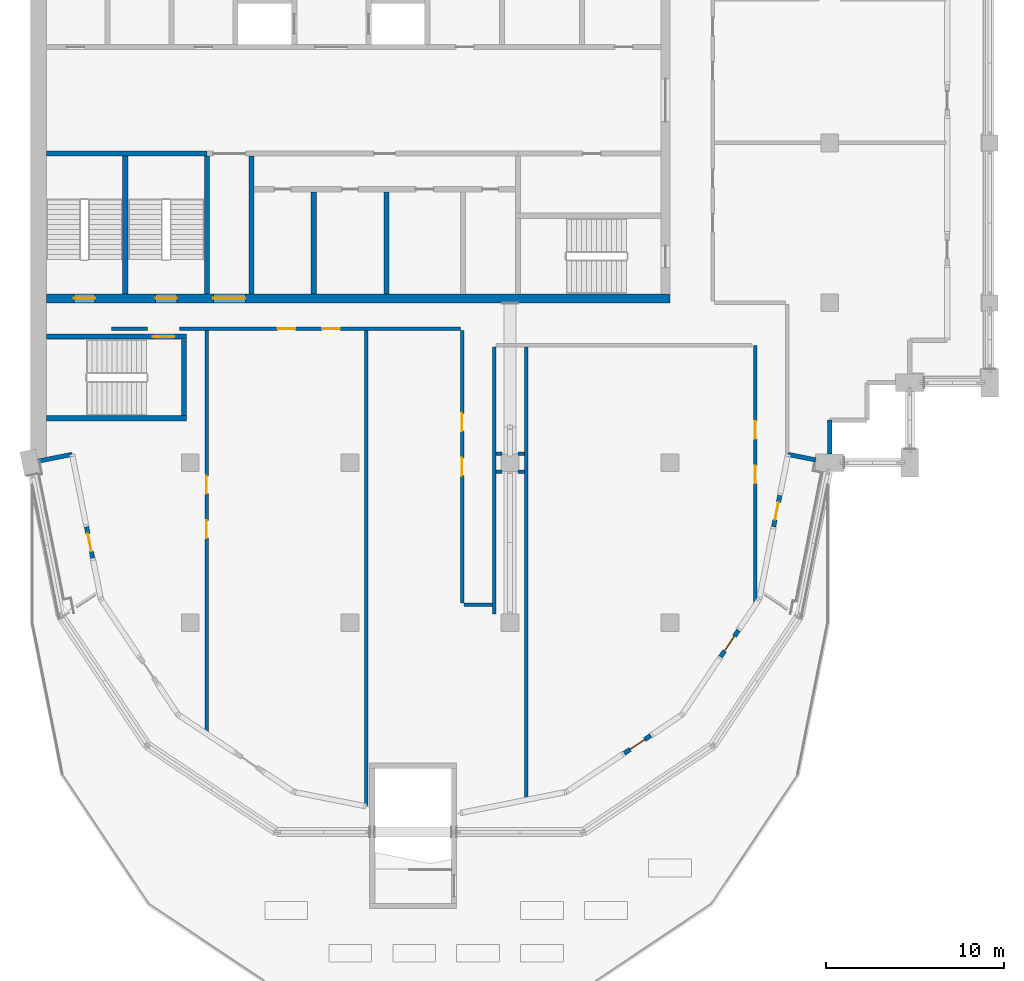
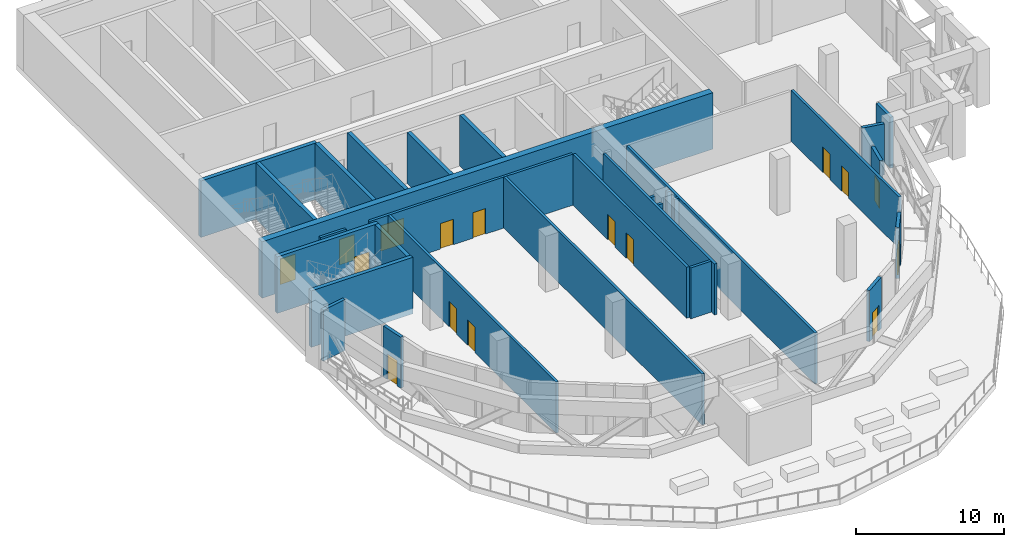
# One storey, part 7 of 18: 30 walls, 16 doors, 16 openings.
"""IFC4 building model written with IfcOpenShell, lengths in metres."""

from ifc_helpers import new_model, si_unit, direction, frame, frame_2d, origin, place, context, subcontext, project, spatial, rectangle, extrude, material, layer, layer_set, type_object, element, fill, save


model = new_model("IFC4")

# Units and contexts
model_context = context("Model", 3, precision=1e-05, world=origin(), true_north=direction((0.0, 1.0)))
body_context = subcontext(model_context, "Body", "Model", "MODEL_VIEW")
ifc_project = project(units=[si_unit("LENGTHUNIT", "METRE"), si_unit("AREAUNIT", "SQUARE_METRE"), si_unit("VOLUMEUNIT", "CUBIC_METRE"), si_unit("PLANEANGLEUNIT", "RADIAN"), si_unit("MASSUNIT", "GRAM", prefix="KILO")], contexts=[model_context])

# Site, building, storey
site_placement = place(None, origin())
site = spatial("IfcSite", under=ifc_project, at=site_placement, CompositionType="ELEMENT")
building_placement = place(site_placement, origin())
building = spatial("IfcBuilding", under=site, at=building_placement, Name="Hunhe Ridgeline Campus", CompositionType="ELEMENT")
storey_placement = place(building_placement, frame((0.0, 0.0, 276.199951171875)))
storey = spatial("IfcBuildingStorey", under=building, at=storey_placement, Name="L71", CompositionType="ELEMENT", Elevation=276.199951171875)

# Walls
ifc_material_1 = material(Name="Masonry concrete blockwork", Category="masonry")
ifc_layer_1 = layer(ifc_material_1, 0.300048828125)
ifc_layer_set_1 = layer_set([ifc_layer_1], Name="Core room partition 300 concrete block")
wall_type_1 = type_object("IfcWallType", Name="Core room partition 300 concrete block", PredefinedType="PARTITIONING", material=ifc_layer_set_1)
wall_1_placement = place(storey_placement, frame((12.449951171875, 63.5, 0.0), z_axis=(0.0, 0.0, 1.0), x_axis=(0.0, 1.0, 0.0)))
element("IfcWall", 1, at=wall_1_placement, inside=storey, type_object=wall_type_1, Name="L71 core partition 33", PredefinedType="PARTITIONING", context=body_context, shape_type="SweptSolid", body=[
    extrude(rectangle(XDim=7.75, YDim=0.300048828125, at=frame_2d((3.875, 0.0))), origin(), (0.0, 0.0, 1.0), 4.199951171875),
])
for number, where, z_axis, x_axis, name in (
    (2, (15.949951171875, 63.5, 0.0), (0.0, 0.0, 1.0), (0.0, 1.0, 0.0), "L71 core partition 36"),
    (3, (20.050048828125, 63.5, 0.0), (0.0, 0.0, 1.0), (0.0, 1.0, 0.0), "L71 core partition 39"),
):
    element("IfcWall", number, at=place(storey_placement, frame(where, z_axis=z_axis, x_axis=x_axis)), inside=storey, type_object=wall_type_1, Name=name, PredefinedType="PARTITIONING", context=body_context, shape_type="SweptSolid", body=[
        extrude(rectangle(XDim=5.75, YDim=0.300048828125, at=frame_2d((2.875, 0.0))), origin(), (0.0, 0.0, 1.0), 4.199951171875),
    ])

# Wall, openings, doors
ifc_material_2 = material(Name="Concrete C50", Category="concrete")
ifc_layer_2 = layer(ifc_material_2, 0.5)
ifc_layer_set_2 = layer_set([ifc_layer_2], Name="Core wall 500 reinforced concrete C50")
wall_type_2 = type_object("IfcWallType", Name="Core wall 500 reinforced concrete C50", PredefinedType="SOLIDWALL", material=ifc_layer_set_2)
wall_2_placement = place(storey_placement, frame((0.89990234375, 63.25, -0.449951171875), z_axis=(0.0, 0.0, 1.0), x_axis=(1.0, 0.0, 0.0)))
wall_2 = element("IfcWall", 4, at=wall_2_placement, inside=storey, type_object=wall_type_2, Name="L71 core wall 5", PredefinedType="SOLIDWALL", context=body_context, shape_type="SweptSolid", body=[
    extrude(rectangle(XDim=35.10009765625, YDim=0.5, at=frame_2d((17.550048828125, 0.0))), origin(), (0.0, 0.0, 1.0), 4.64990234375),
])
opening_1_placement = place(wall_2_placement, frame((9.39990234375, 0.0, 0.449951171875)))
opening_1 = element("IfcOpeningElement", 5, at=opening_1_placement, cuts=wall_2, Name="Opening CD6", PredefinedType="OPENING", context=body_context, shape_type="SweptSolid", body=[
    extrude(rectangle(XDim=1.800048828125, YDim=2.10009765625, at=frame_2d((0.89990234375, 1.050048828125))), frame((0.0, 0.25, 0.0), z_axis=(0.0, -1.0, 0.0), x_axis=(1.0, 0.0, 0.0)), (0.0, 0.0, 1.0), 0.5),
])
opening_2_placement = place(wall_2_placement, frame((1.550048828125, 0.0, 0.449951171875)))
opening_2 = element("IfcOpeningElement", 6, at=opening_2_placement, cuts=wall_2, Name="Opening CD13", PredefinedType="OPENING", context=body_context, shape_type="SweptSolid", body=[
    extrude(rectangle(XDim=1.199951171875, YDim=2.10009765625, at=frame_2d((0.60009765625, 1.050048828125))), frame((0.0, 0.25, 0.0), z_axis=(0.0, -1.0, 0.0), x_axis=(1.0, 0.0, 0.0)), (0.0, 0.0, 1.0), 0.5),
])
opening_3_placement = place(wall_2_placement, frame((6.14990234375, 0.0, 0.449951171875)))
opening_3 = element("IfcOpeningElement", 7, at=opening_3_placement, cuts=wall_2, Name="Opening CD14", PredefinedType="OPENING", context=body_context, shape_type="SweptSolid", body=[
    extrude(rectangle(XDim=1.199951171875, YDim=2.10009765625, at=frame_2d((0.60009765625, 1.050048828125))), frame((0.0, 0.25, 0.0), z_axis=(0.0, -1.0, 0.0), x_axis=(1.0, 0.0, 0.0)), (0.0, 0.0, 1.0), 0.5),
])
ifc_material_3 = material(Name="Anodised aluminium and glass", Category="aluminium")
door_type_1 = type_object("IfcDoorType", Name="Glazed double door 1800x2100", OperationType="DOUBLE_DOOR_SINGLE_SWING", PredefinedType="DOOR", material=ifc_material_3)
door_1_placement = place(opening_1_placement, frame((1.800048828125, 0.0, 0.0), z_axis=(0.0, 0.0, 1.0), x_axis=(-1.0, 0.0, 0.0)))
door_1 = element("IfcDoor", 8, at=door_1_placement, inside=storey, type_object=door_type_1, Name="L71 door VEST-FLOOR", OperationType="DOUBLE_DOOR_SINGLE_SWING", OverallHeight=2.10009765625, OverallWidth=1.800048828125, PredefinedType="DOOR", context=body_context, shape_type="SweptSolid", body=[
    extrude(rectangle(XDim=1.800048828125, YDim=2.10009765625, at=frame_2d((0.89990234375, 1.050048828125))), frame((0.0, 0.02490234375, 0.0), z_axis=(0.0, -1.0, 0.0), x_axis=(1.0, 0.0, 0.0)), (0.0, 0.0, 1.0), 0.050048828125),
])
fill(opening_1, door_1)
ifc_material_4 = material(Name="Hollow metal fire door leaf")
door_type_2 = type_object("IfcDoorType", Name="Stair door 1200x2100 FD60", OperationType="SINGLE_SWING_LEFT", PredefinedType="DOOR", material=ifc_material_4)
door_2_placement = place(opening_2_placement, frame((1.199951171875, 0.0, 0.0), z_axis=(0.0, 0.0, 1.0), x_axis=(-1.0, 0.0, 0.0)))
door_2 = element("IfcDoor", 9, at=door_2_placement, inside=storey, type_object=door_type_2, Name="L71 door S3", OperationType="SINGLE_SWING_LEFT", OverallHeight=2.10009765625, OverallWidth=1.199951171875, PredefinedType="DOOR", context=body_context, shape_type="SweptSolid", body=[
    extrude(rectangle(XDim=1.199951171875, YDim=2.10009765625, at=frame_2d((0.60009765625, 1.050048828125))), frame((0.0, 0.02490234375, 0.0), z_axis=(0.0, -1.0, 0.0), x_axis=(1.0, 0.0, 0.0)), (0.0, 0.0, 1.0), 0.050048828125),
])
fill(opening_2, door_2)
door_3_placement = place(opening_3_placement, frame((1.199951171875, 0.0, 0.0), z_axis=(0.0, 0.0, 1.0), x_axis=(-1.0, 0.0, 0.0)))
door_3 = element("IfcDoor", 10, at=door_3_placement, inside=storey, type_object=door_type_2, Name="L71 door S4", OperationType="SINGLE_SWING_RIGHT", OverallHeight=2.10009765625, OverallWidth=1.199951171875, PredefinedType="DOOR", context=body_context, shape_type="SweptSolid", body=[
    extrude(rectangle(XDim=1.199951171875, YDim=2.10009765625, at=frame_2d((0.60009765625, 1.050048828125))), frame((0.0, 0.02490234375, 0.0), z_axis=(0.0, -1.0, 0.0), x_axis=(1.0, 0.0, 0.0)), (0.0, 0.0, 1.0), 0.050048828125),
])
fill(opening_3, door_3)

# Walls
ifc_material_5 = material(Name="Concrete C30", Category="concrete")
ifc_layer_3 = layer(ifc_material_5, 0.25)
ifc_layer_set_3 = layer_set([ifc_layer_3], Name="Corner return wall 250 Concrete C30")
wall_type_3 = type_object("IfcWallType", Name="Corner return wall 250 Concrete C30", PredefinedType="SOLIDWALL", material=ifc_layer_set_3)
wall_3_placement = place(storey_placement, frame((0.441162109375, 54.088623046875, 0.0), z_axis=(0.0, 0.0, 1.0), x_axis=(0.980834936053, 0.194840519958, 0.0)))
element("IfcWall", 11, at=wall_3_placement, inside=storey, type_object=wall_type_3, Name="Corner return wall 1", PredefinedType="SOLIDWALL", context=body_context, shape_type="SweptSolid", body=[
    extrude(rectangle(XDim=1.950927734375, YDim=0.25, at=frame_2d((0.9755859375, 0.0))), origin(), (0.0, 0.0, 1.0), 4.199951171875),
])
wall_4_placement = place(storey_placement, frame((42.645263671875, 54.46875, 0.0), z_axis=(0.0, 0.0, 1.0), x_axis=(0.980834583039, -0.194842297039, 0.0)))
element("IfcWall", 12, at=wall_4_placement, inside=storey, type_object=wall_type_3, Name="Corner return wall 2", PredefinedType="SOLIDWALL", context=body_context, shape_type="SweptSolid", body=[
    extrude(rectangle(XDim=1.5849609375, YDim=0.25, at=frame_2d((0.79248046875, 0.0))), origin(), (0.0, 0.0, 1.0), 4.199951171875),
])
wall_5_placement = place(storey_placement, frame((44.9990234375, 54.5, 0.0), z_axis=(0.0, 0.0, 1.0), x_axis=(0.000128452151, 0.99999999175, 0.0)))
element("IfcWall", 13, at=wall_5_placement, inside=storey, type_object=wall_type_3, Name="Corner return wall 3", PredefinedType="SOLIDWALL", context=body_context, shape_type="SweptSolid", body=[
    extrude(rectangle(XDim=1.900634765625, YDim=0.25, at=frame_2d((0.9501953125, 0.0))), origin(), (0.0, 0.0, 1.0), 4.199951171875),
])
ifc_material_6 = material(Name="Gypsum board partition")
ifc_layer_4 = layer(ifc_material_6, 0.199951171875)
ifc_layer_set_4 = layer_set([ifc_layer_4], Name="Corridor partition 200 gypsum board on steel studs")
wall_type_4 = type_object("IfcWallType", Name="Corridor partition 200 gypsum board on steel studs", PredefinedType="PARTITIONING", material=ifc_layer_set_4)
wall_6_placement = place(storey_placement, frame((26.0, 46.0, 0.0), z_axis=(0.0, 0.0, 1.0), x_axis=(-1.0, 0.0, 0.0)))
element("IfcWall", 14, at=wall_6_placement, inside=storey, type_object=wall_type_4, Name="F-L71-wall-001", PredefinedType="PARTITIONING", context=body_context, shape_type="SweptSolid", body=[
    extrude(rectangle(XDim=1.60009765625, YDim=0.199951171875, at=frame_2d((0.800048828125, 0.0))), origin(), (0.0, 0.0, 1.0), 4.199951171875),
])
wall_7_placement = place(storey_placement, frame((26.199951171875, 53.5, 0.0), z_axis=(0.0, 0.0, 1.0), x_axis=(1.0, 0.0, 0.0)))
element("IfcWall", 15, at=wall_7_placement, inside=storey, type_object=wall_type_4, Name="F-L71-wall-002", PredefinedType="PARTITIONING", context=body_context, shape_type="SweptSolid", body=[
    extrude(rectangle(XDim=0.35009765625, YDim=0.199951171875, at=frame_2d((0.175048828125, 0.0))), origin(), (0.0, 0.0, 1.0), 4.199951171875),
])
wall_8_placement = place(storey_placement, frame((27.449951171875, 53.5, 0.0), z_axis=(0.0, 0.0, 1.0), x_axis=(1.0, 0.0, 0.0)))
element("IfcWall", 16, at=wall_8_placement, inside=storey, type_object=wall_type_4, Name="F-L71-wall-003", PredefinedType="PARTITIONING", context=body_context, shape_type="SweptSolid", body=[
    extrude(rectangle(XDim=0.3701171875, YDim=0.199951171875, at=frame_2d((0.18505859375, 0.0))), origin(), (0.0, 0.0, 1.0), 4.199951171875),
])
wall_9_placement = place(storey_placement, frame((26.199951171875, 54.5, 0.0), z_axis=(0.0, 0.0, 1.0), x_axis=(1.0, 0.0, 0.0)))
element("IfcWall", 17, at=wall_9_placement, inside=storey, type_object=wall_type_4, Name="F-L71-wall-004", PredefinedType="PARTITIONING", context=body_context, shape_type="SweptSolid", body=[
    extrude(rectangle(XDim=0.35009765625, YDim=0.199951171875, at=frame_2d((0.175048828125, 0.0))), origin(), (0.0, 0.0, 1.0), 4.199951171875),
])
wall_10_placement = place(storey_placement, frame((27.449951171875, 54.5, 0.0), z_axis=(0.0, 0.0, 1.0), x_axis=(1.0, 0.0, 0.0)))
element("IfcWall", 18, at=wall_10_placement, inside=storey, type_object=wall_type_4, Name="F-L71-wall-005", PredefinedType="PARTITIONING", context=body_context, shape_type="SweptSolid", body=[
    extrude(rectangle(XDim=0.3701171875, YDim=0.199951171875, at=frame_2d((0.18505859375, 0.0))), origin(), (0.0, 0.0, 1.0), 4.199951171875),
])

# Wall, openings, doors
wall_11_placement = place(storey_placement, frame((24.199951171875, 61.550048828125, 0.0), z_axis=(0.0, 0.0, 1.0), x_axis=(-1.0, 0.0, 0.0)))
wall_11 = element("IfcWall", 19, at=wall_11_placement, inside=storey, type_object=wall_type_4, Name="F-L71-wall-007", PredefinedType="PARTITIONING", context=body_context, shape_type="SweptSolid", body=[
    extrude(rectangle(XDim=15.800048828125, YDim=0.199951171875, at=frame_2d((7.89990234375, 0.0))), origin(), (0.0, 0.0, 1.0), 4.199951171875),
])
opening_4_placement = place(wall_11_placement, frame((9.281005859375, 0.0, 0.0)))
opening_4 = element("IfcOpeningElement", 20, at=opening_4_placement, cuts=wall_11, Name="Opening RD1-007", PredefinedType="OPENING", context=body_context, shape_type="SweptSolid", body=[
    extrude(rectangle(XDim=1.0, YDim=2.10009765625, at=frame_2d((0.5, 1.050048828125))), frame((0.0, 0.10009765625, 0.0), z_axis=(0.0, -1.0, 0.0), x_axis=(1.0, 0.0, 0.0)), (0.0, 0.0, 1.0), 0.199951171875),
])
opening_5_placement = place(wall_11_placement, frame((6.781005859375, 0.0, 0.0)))
opening_5 = element("IfcOpeningElement", 21, at=opening_5_placement, cuts=wall_11, Name="Opening RD1-008", PredefinedType="OPENING", context=body_context, shape_type="SweptSolid", body=[
    extrude(rectangle(XDim=1.0, YDim=2.10009765625, at=frame_2d((0.5, 1.050048828125))), frame((0.0, 0.10009765625, 0.0), z_axis=(0.0, -1.0, 0.0), x_axis=(1.0, 0.0, 0.0)), (0.0, 0.0, 1.0), 0.199951171875),
])
ifc_material_7 = material(Name="Timber door leaf", Category="wood")
door_type_3 = type_object("IfcDoorType", Name="Single fire door 1000x2100 timber FD60", OperationType="NOTDEFINED", PredefinedType="DOOR", material=ifc_material_7)
door_4_placement = place(opening_4_placement, frame((1.0, 0.0, 0.0), z_axis=(0.0, 0.0, 1.0), x_axis=(-1.0, 0.0, 0.0)))
door_4 = element("IfcDoor", 22, at=door_4_placement, inside=storey, type_object=door_type_3, Name="F-L71-door-007", OperationType="SINGLE_SWING_LEFT", OverallHeight=2.10009765625, OverallWidth=1.0, PredefinedType="DOOR", context=body_context, shape_type="SweptSolid", body=[
    extrude(rectangle(XDim=1.0, YDim=2.10009765625, at=frame_2d((0.5, 1.050048828125))), frame((0.0, 0.02490234375, 0.0), z_axis=(0.0, -1.0, 0.0), x_axis=(1.0, 0.0, 0.0)), (0.0, 0.0, 1.0), 0.050048828125),
])
fill(opening_4, door_4)
door_5_placement = place(opening_5_placement, frame((1.0, 0.0, 0.0), z_axis=(0.0, 0.0, 1.0), x_axis=(-1.0, 0.0, 0.0)))
door_5 = element("IfcDoor", 23, at=door_5_placement, inside=storey, type_object=door_type_3, Name="F-L71-door-008", OperationType="SINGLE_SWING_RIGHT", OverallHeight=2.10009765625, OverallWidth=1.0, PredefinedType="DOOR", context=body_context, shape_type="SweptSolid", body=[
    extrude(rectangle(XDim=1.0, YDim=2.10009765625, at=frame_2d((0.5, 1.050048828125))), frame((0.0, 0.02490234375, 0.0), z_axis=(0.0, -1.0, 0.0), x_axis=(1.0, 0.0, 0.0)), (0.0, 0.0, 1.0), 0.050048828125),
])
fill(opening_5, door_5)

# Wall
wall_12_placement = place(storey_placement, frame((6.590087890625, 61.550048828125, 0.0), z_axis=(0.0, 0.0, 1.0), x_axis=(-1.0, 0.0, 0.0)))
element("IfcWall", 24, at=wall_12_placement, inside=storey, type_object=wall_type_4, Name="F-L71-wall-008", PredefinedType="PARTITIONING", context=body_context, shape_type="SweptSolid", body=[
    extrude(rectangle(XDim=2.030029296875, YDim=0.199951171875, at=frame_2d((1.01513671875, 0.0))), origin(), (0.0, 0.0, 1.0), 4.199951171875),
])

# Wall, openings, doors
wall_13_placement = place(storey_placement, frame((9.919921875, 38.817626953125, 0.0), z_axis=(0.0, 0.0, 1.0), x_axis=(0.0, 1.0, 0.0)))
wall_13 = element("IfcWall", 25, at=wall_13_placement, inside=storey, type_object=wall_type_4, Name="F-L71-wall-018", PredefinedType="PARTITIONING", context=body_context, shape_type="SweptSolid", body=[
    extrude(rectangle(XDim=22.63232421875, YDim=0.199951171875, at=frame_2d((11.316162109375, 0.0))), origin(), (0.0, 0.0, 1.0), 4.199951171875),
])
opening_6_placement = place(wall_13_placement, frame((10.94189453125, 0.0, 0.0)))
opening_6 = element("IfcOpeningElement", 26, at=opening_6_placement, cuts=wall_13, Name="Opening RD1-001", PredefinedType="OPENING", context=body_context, shape_type="SweptSolid", body=[
    extrude(rectangle(XDim=1.0, YDim=2.10009765625, at=frame_2d((0.5, 1.050048828125))), frame((0.0, 0.10009765625, 0.0), z_axis=(0.0, -1.0, 0.0), x_axis=(1.0, 0.0, 0.0)), (0.0, 0.0, 1.0), 0.199951171875),
])
opening_7_placement = place(wall_13_placement, frame((13.44189453125, 0.0, 0.0)))
opening_7 = element("IfcOpeningElement", 27, at=opening_7_placement, cuts=wall_13, Name="Opening RD1-002", PredefinedType="OPENING", context=body_context, shape_type="SweptSolid", body=[
    extrude(rectangle(XDim=1.0, YDim=2.10009765625, at=frame_2d((0.5, 1.050048828125))), frame((0.0, 0.10009765625, 0.0), z_axis=(0.0, -1.0, 0.0), x_axis=(1.0, 0.0, 0.0)), (0.0, 0.0, 1.0), 0.199951171875),
])
door_6_placement = place(opening_6_placement, frame((1.0, 0.0, 0.0), z_axis=(0.0, 0.0, 1.0), x_axis=(-1.0, 0.0, 0.0)))
door_6 = element("IfcDoor", 28, at=door_6_placement, inside=storey, type_object=door_type_3, Name="F-L71-door-001", OperationType="SINGLE_SWING_RIGHT", OverallHeight=2.10009765625, OverallWidth=1.0, PredefinedType="DOOR", context=body_context, shape_type="SweptSolid", body=[
    extrude(rectangle(XDim=1.0, YDim=2.10009765625, at=frame_2d((0.5, 1.050048828125))), frame((0.0, 0.02490234375, 0.0), z_axis=(0.0, -1.0, 0.0), x_axis=(1.0, 0.0, 0.0)), (0.0, 0.0, 1.0), 0.050048828125),
])
fill(opening_6, door_6)
door_7_placement = place(opening_7_placement, frame((1.0, 0.0, 0.0), z_axis=(0.0, 0.0, 1.0), x_axis=(-1.0, 0.0, 0.0)))
door_7 = element("IfcDoor", 29, at=door_7_placement, inside=storey, type_object=door_type_3, Name="F-L71-door-002", OperationType="SINGLE_SWING_LEFT", OverallHeight=2.10009765625, OverallWidth=1.0, PredefinedType="DOOR", context=body_context, shape_type="SweptSolid", body=[
    extrude(rectangle(XDim=1.0, YDim=2.10009765625, at=frame_2d((0.5, 1.050048828125))), frame((0.0, 0.02490234375, 0.0), z_axis=(0.0, -1.0, 0.0), x_axis=(1.0, 0.0, 0.0)), (0.0, 0.0, 1.0), 0.050048828125),
])
fill(opening_7, door_7)

# Wall
wall_14_placement = place(storey_placement, frame((18.919921875, 61.449951171875, 0.0), z_axis=(0.0, 0.0, 1.0), x_axis=(0.0, -1.0, 0.0)))
element("IfcWall", 30, at=wall_14_placement, inside=storey, type_object=wall_type_4, Name="F-L71-wall-019", PredefinedType="PARTITIONING", context=body_context, shape_type="SweptSolid", body=[
    extrude(rectangle(XDim=26.73486328125, YDim=0.199951171875, at=frame_2d((13.367431640625, 0.0))), origin(), (0.0, 0.0, 1.0), 4.199951171875),
])

# Wall, openings, doors
wall_15_placement = place(storey_placement, frame((24.300048828125, 46.10009765625, 0.0), z_axis=(0.0, 0.0, 1.0), x_axis=(0.0, 1.0, 0.0)))
wall_15 = element("IfcWall", 31, at=wall_15_placement, inside=storey, type_object=wall_type_4, Name="F-L71-wall-020", PredefinedType="PARTITIONING", context=body_context, shape_type="SweptSolid", body=[
    extrude(rectangle(XDim=15.349853515625, YDim=0.199951171875, at=frame_2d((7.6748046875, 0.0))), origin(), (0.0, 0.0, 1.0), 4.199951171875),
])
opening_8_placement = place(wall_15_placement, frame((7.175048828125, 0.0, 0.0)))
opening_8 = element("IfcOpeningElement", 32, at=opening_8_placement, cuts=wall_15, Name="Opening RD1-004", PredefinedType="OPENING", context=body_context, shape_type="SweptSolid", body=[
    extrude(rectangle(XDim=1.0, YDim=2.10009765625, at=frame_2d((0.5, 1.050048828125))), frame((0.0, 0.10009765625, 0.0), z_axis=(0.0, -1.0, 0.0), x_axis=(1.0, 0.0, 0.0)), (0.0, 0.0, 1.0), 0.199951171875),
])
opening_9_placement = place(wall_15_placement, frame((9.675048828125, 0.0, 0.0)))
opening_9 = element("IfcOpeningElement", 33, at=opening_9_placement, cuts=wall_15, Name="Opening RD1-006", PredefinedType="OPENING", context=body_context, shape_type="SweptSolid", body=[
    extrude(rectangle(XDim=1.0, YDim=2.10009765625, at=frame_2d((0.5, 1.050048828125))), frame((0.0, 0.10009765625, 0.0), z_axis=(0.0, -1.0, 0.0), x_axis=(1.0, 0.0, 0.0)), (0.0, 0.0, 1.0), 0.199951171875),
])
door_8_placement = place(opening_8_placement, frame((1.0, 0.0, 0.0), z_axis=(0.0, 0.0, 1.0), x_axis=(-1.0, 0.0, 0.0)))
door_8 = element("IfcDoor", 34, at=door_8_placement, inside=storey, type_object=door_type_3, Name="F-L71-door-004", OperationType="SINGLE_SWING_LEFT", OverallHeight=2.10009765625, OverallWidth=1.0, PredefinedType="DOOR", context=body_context, shape_type="SweptSolid", body=[
    extrude(rectangle(XDim=1.0, YDim=2.10009765625, at=frame_2d((0.5, 1.050048828125))), frame((0.0, 0.02490234375, 0.0), z_axis=(0.0, -1.0, 0.0), x_axis=(1.0, 0.0, 0.0)), (0.0, 0.0, 1.0), 0.050048828125),
])
fill(opening_8, door_8)
door_9_placement = place(opening_9_placement, frame((1.0, 0.0, 0.0), z_axis=(0.0, 0.0, 1.0), x_axis=(-1.0, 0.0, 0.0)))
door_9 = element("IfcDoor", 35, at=door_9_placement, inside=storey, type_object=door_type_3, Name="F-L71-door-006", OperationType="SINGLE_SWING_LEFT", OverallHeight=2.10009765625, OverallWidth=1.0, PredefinedType="DOOR", context=body_context, shape_type="SweptSolid", body=[
    extrude(rectangle(XDim=1.0, YDim=2.10009765625, at=frame_2d((0.5, 1.050048828125))), frame((0.0, 0.02490234375, 0.0), z_axis=(0.0, -1.0, 0.0), x_axis=(1.0, 0.0, 0.0)), (0.0, 0.0, 1.0), 0.050048828125),
])
fill(opening_9, door_9)

# Walls
wall_16_placement = place(storey_placement, frame((26.10009765625, 60.5, 0.0), z_axis=(0.0, 0.0, 1.0), x_axis=(0.0, -1.0, 0.0)))
element("IfcWall", 36, at=wall_16_placement, inside=storey, type_object=wall_type_4, Name="F-L71-wall-021", PredefinedType="PARTITIONING", context=body_context, shape_type="SweptSolid", body=[
    extrude(rectangle(XDim=15.0, YDim=0.199951171875, at=frame_2d((7.5, 0.0))), origin(), (0.0, 0.0, 1.0), 4.199951171875),
])
wall_17_placement = place(storey_placement, frame((27.919921875, 60.5, 0.0), z_axis=(0.0, 0.0, 1.0), x_axis=(0.0, -1.0, 0.0)))
element("IfcWall", 37, at=wall_17_placement, inside=storey, type_object=wall_type_4, Name="F-L71-wall-022", PredefinedType="PARTITIONING", context=body_context, shape_type="SweptSolid", body=[
    extrude(rectangle(XDim=25.418701171875, YDim=0.199951171875, at=frame_2d((12.70947265625, 0.0))), origin(), (0.0, 0.0, 1.0), 4.199951171875),
])

# Wall, openings, doors
wall_18_placement = place(storey_placement, frame((40.800048828125, 46.0859375, 0.0), z_axis=(0.0, 0.0, 1.0), x_axis=(0.0, 1.0, 0.0)))
wall_18 = element("IfcWall", 38, at=wall_18_placement, inside=storey, type_object=wall_type_4, Name="F-L71-wall-024", PredefinedType="PARTITIONING", context=body_context, shape_type="SweptSolid", body=[
    extrude(rectangle(XDim=14.51416015625, YDim=0.199951171875, at=frame_2d((7.257080078125, 0.0))), origin(), (0.0, 0.0, 1.0), 4.199951171875),
])
opening_10_placement = place(wall_18_placement, frame((6.757080078125, 0.0, 0.0)))
opening_10 = element("IfcOpeningElement", 39, at=opening_10_placement, cuts=wall_18, Name="Opening RD1-003", PredefinedType="OPENING", context=body_context, shape_type="SweptSolid", body=[
    extrude(rectangle(XDim=1.0, YDim=2.10009765625, at=frame_2d((0.5, 1.050048828125))), frame((0.0, 0.10009765625, 0.0), z_axis=(0.0, -1.0, 0.0), x_axis=(1.0, 0.0, 0.0)), (0.0, 0.0, 1.0), 0.199951171875),
])
opening_11_placement = place(wall_18_placement, frame((9.257080078125, 0.0, 0.0)))
opening_11 = element("IfcOpeningElement", 40, at=opening_11_placement, cuts=wall_18, Name="Opening RD1-005", PredefinedType="OPENING", context=body_context, shape_type="SweptSolid", body=[
    extrude(rectangle(XDim=1.0, YDim=2.10009765625, at=frame_2d((0.5, 1.050048828125))), frame((0.0, 0.10009765625, 0.0), z_axis=(0.0, -1.0, 0.0), x_axis=(1.0, 0.0, 0.0)), (0.0, 0.0, 1.0), 0.199951171875),
])
door_10_placement = place(opening_10_placement, frame((1.0, 0.0, 0.0), z_axis=(0.0, 0.0, 1.0), x_axis=(-1.0, 0.0, 0.0)))
door_10 = element("IfcDoor", 41, at=door_10_placement, inside=storey, type_object=door_type_3, Name="F-L71-door-003", OperationType="SINGLE_SWING_LEFT", OverallHeight=2.10009765625, OverallWidth=1.0, PredefinedType="DOOR", context=body_context, shape_type="SweptSolid", body=[
    extrude(rectangle(XDim=1.0, YDim=2.10009765625, at=frame_2d((0.5, 1.050048828125))), frame((0.0, 0.02490234375, 0.0), z_axis=(0.0, -1.0, 0.0), x_axis=(1.0, 0.0, 0.0)), (0.0, 0.0, 1.0), 0.050048828125),
])
fill(opening_10, door_10)
door_11_placement = place(opening_11_placement, frame((1.0, 0.0, 0.0), z_axis=(0.0, 0.0, 1.0), x_axis=(-1.0, 0.0, 0.0)))
door_11 = element("IfcDoor", 42, at=door_11_placement, inside=storey, type_object=door_type_3, Name="F-L71-door-005", OperationType="SINGLE_SWING_LEFT", OverallHeight=2.10009765625, OverallWidth=1.0, PredefinedType="DOOR", context=body_context, shape_type="SweptSolid", body=[
    extrude(rectangle(XDim=1.0, YDim=2.10009765625, at=frame_2d((0.5, 1.050048828125))), frame((0.0, 0.02490234375, 0.0), z_axis=(0.0, -1.0, 0.0), x_axis=(1.0, 0.0, 0.0)), (0.0, 0.0, 1.0), 0.050048828125),
])
fill(opening_11, door_11)

# Wall, opening, door
ifc_layer_5 = layer(ifc_material_5, 0.25)
ifc_layer_set_5 = layer_set([ifc_layer_5], Name="Loggia door pier wall 250 Concrete C30")
wall_type_5 = type_object("IfcWallType", Name="Loggia door pier wall 250 Concrete C30", PredefinedType="SOLIDWALL", material=ifc_layer_set_5)
wall_19_placement = place(storey_placement, frame((3.16455078125, 50.3974609375, 0.0), z_axis=(0.0, 0.0, 1.0), x_axis=(0.19517704197, -0.980768026746, 0.0)))
wall_19 = element("IfcWall", 43, at=wall_19_placement, inside=storey, type_object=wall_type_5, Name="Loggia door pier 1", PredefinedType="SOLIDWALL", context=body_context, shape_type="SweptSolid", body=[
    extrude(rectangle(XDim=1.800048828125, YDim=0.25, at=frame_2d((0.89990234375, 0.0))), origin(), (0.0, 0.0, 1.0), 4.199951171875),
])
opening_12_placement = place(wall_19_placement, frame((0.39990234375, 0.0, 0.0)))
opening_12 = element("IfcOpeningElement", 44, at=opening_12_placement, cuts=wall_19, Name="Opening BR601", PredefinedType="OPENING", context=body_context, shape_type="SweptSolid", body=[
    extrude(rectangle(XDim=1.0, YDim=2.10009765625, at=frame_2d((0.5, 1.050048828125))), frame((0.0, 0.125, 0.0), z_axis=(0.0, -1.0, 0.0), x_axis=(1.0, 0.0, 0.0)), (0.0, 0.0, 1.0), 0.25),
])
ifc_material_8 = material(Name="Aluminium 6063", Category="aluminium")
door_type_4 = type_object("IfcDoorType", Name="Loggia glazed door 1000x2100", OperationType="NOTDEFINED", PredefinedType="DOOR", material=ifc_material_8)
door_12_placement = place(opening_12_placement, frame((1.0, 0.0, 0.0), z_axis=(0.0, 0.0, 1.0), x_axis=(-1.0, 0.0, 0.0)))
door_12 = element("IfcDoor", 45, at=door_12_placement, inside=storey, type_object=door_type_4, Name="Loggia door BR601", OperationType="SINGLE_SWING_RIGHT", OverallHeight=2.10009765625, OverallWidth=1.0, PredefinedType="DOOR", context=body_context, shape_type="SweptSolid", body=[
    extrude(rectangle(XDim=1.0, YDim=2.10009765625, at=frame_2d((0.5, 1.050048828125))), frame((0.0, 0.02490234375, 0.0), z_axis=(0.0, -1.0, 0.0), x_axis=(1.0, 0.0, 0.0)), (0.0, 0.0, 1.0), 0.050048828125),
])
fill(opening_12, door_12)

wall_20_placement = place(storey_placement, frame((33.42626953125, 37.647705078125, 0.0), z_axis=(0.0, 0.0, 1.0), x_axis=(0.83146554274, 0.555576323502, 0.0)))
wall_20 = element("IfcWall", 46, at=wall_20_placement, inside=storey, type_object=wall_type_5, Name="Loggia door pier 4", PredefinedType="SOLIDWALL", context=body_context, shape_type="SweptSolid", body=[
    extrude(rectangle(XDim=1.800048828125, YDim=0.25, at=frame_2d((0.89990234375, 0.0))), origin(), (0.0, 0.0, 1.0), 4.199951171875),
])
opening_13_placement = place(wall_20_placement, frame((0.39990234375, 0.0, 0.0)))
opening_13 = element("IfcOpeningElement", 47, at=opening_13_placement, cuts=wall_20, Name="Opening BR606", PredefinedType="OPENING", context=body_context, shape_type="SweptSolid", body=[
    extrude(rectangle(XDim=1.0, YDim=2.10009765625, at=frame_2d((0.5, 1.050048828125))), frame((0.0, 0.125, 0.0), z_axis=(0.0, -1.0, 0.0), x_axis=(1.0, 0.0, 0.0)), (0.0, 0.0, 1.0), 0.25),
])
door_13_placement = place(opening_13_placement, frame((1.0, 0.0, 0.0), z_axis=(0.0, 0.0, 1.0), x_axis=(-1.0, 0.0, 0.0)))
door_13 = element("IfcDoor", 48, at=door_13_placement, inside=storey, type_object=door_type_4, Name="Loggia door BR606", OperationType="SINGLE_SWING_LEFT", OverallHeight=2.10009765625, OverallWidth=1.0, PredefinedType="DOOR", context=body_context, shape_type="SweptSolid", body=[
    extrude(rectangle(XDim=1.0, YDim=2.10009765625, at=frame_2d((0.5, 1.050048828125))), frame((0.0, 0.02490234375, 0.0), z_axis=(0.0, -1.0, 0.0), x_axis=(1.0, 0.0, 0.0)), (0.0, 0.0, 1.0), 0.050048828125),
])
fill(opening_13, door_13)

wall_21_placement = place(storey_placement, frame((38.852294921875, 43.07373046875, 0.0), z_axis=(0.0, 0.0, 1.0), x_axis=(0.555576323502, 0.83146554274, 0.0)))
wall_21 = element("IfcWall", 49, at=wall_21_placement, inside=storey, type_object=wall_type_5, Name="Loggia door pier 5", PredefinedType="SOLIDWALL", context=body_context, shape_type="SweptSolid", body=[
    extrude(rectangle(XDim=1.800048828125, YDim=0.25, at=frame_2d((0.89990234375, 0.0))), origin(), (0.0, 0.0, 1.0), 4.199951171875),
])
opening_14_placement = place(wall_21_placement, frame((0.39990234375, 0.0, 0.0)))
opening_14 = element("IfcOpeningElement", 50, at=opening_14_placement, cuts=wall_21, Name="Opening BR607", PredefinedType="OPENING", context=body_context, shape_type="SweptSolid", body=[
    extrude(rectangle(XDim=1.0, YDim=2.10009765625, at=frame_2d((0.5, 1.050048828125))), frame((0.0, 0.125, 0.0), z_axis=(0.0, -1.0, 0.0), x_axis=(1.0, 0.0, 0.0)), (0.0, 0.0, 1.0), 0.25),
])
door_14_placement = place(opening_14_placement, frame((1.0, 0.0, 0.0), z_axis=(0.0, 0.0, 1.0), x_axis=(-1.0, 0.0, 0.0)))
door_14 = element("IfcDoor", 51, at=door_14_placement, inside=storey, type_object=door_type_4, Name="Loggia door BR607", OperationType="SINGLE_SWING_RIGHT", OverallHeight=2.10009765625, OverallWidth=1.0, PredefinedType="DOOR", context=body_context, shape_type="SweptSolid", body=[
    extrude(rectangle(XDim=1.0, YDim=2.10009765625, at=frame_2d((0.5, 1.050048828125))), frame((0.0, 0.02490234375, 0.0), z_axis=(0.0, -1.0, 0.0), x_axis=(1.0, 0.0, 0.0)), (0.0, 0.0, 1.0), 0.050048828125),
])
fill(opening_14, door_14)

wall_22_placement = place(storey_placement, frame((41.83544921875, 50.397705078125, 0.0), z_axis=(0.0, 0.0, 1.0), x_axis=(0.19517704197, 0.980768026746, 0.0)))
wall_22 = element("IfcWall", 52, at=wall_22_placement, inside=storey, type_object=wall_type_5, Name="Loggia door pier 6", PredefinedType="SOLIDWALL", context=body_context, shape_type="SweptSolid", body=[
    extrude(rectangle(XDim=1.800048828125, YDim=0.25, at=frame_2d((0.89990234375, 0.0))), origin(), (0.0, 0.0, 1.0), 4.199951171875),
])
opening_15_placement = place(wall_22_placement, frame((0.39990234375, 0.0, 0.0)))
opening_15 = element("IfcOpeningElement", 53, at=opening_15_placement, cuts=wall_22, Name="Opening BR608", PredefinedType="OPENING", context=body_context, shape_type="SweptSolid", body=[
    extrude(rectangle(XDim=1.0, YDim=2.10009765625, at=frame_2d((0.5, 1.050048828125))), frame((0.0, 0.125, 0.0), z_axis=(0.0, -1.0, 0.0), x_axis=(1.0, 0.0, 0.0)), (0.0, 0.0, 1.0), 0.25),
])
door_15_placement = place(opening_15_placement, frame((1.0, 0.0, 0.0), z_axis=(0.0, 0.0, 1.0), x_axis=(-1.0, 0.0, 0.0)))
door_15 = element("IfcDoor", 54, at=door_15_placement, inside=storey, type_object=door_type_4, Name="Loggia door BR608", OperationType="SINGLE_SWING_LEFT", OverallHeight=2.10009765625, OverallWidth=1.0, PredefinedType="DOOR", context=body_context, shape_type="SweptSolid", body=[
    extrude(rectangle(XDim=1.0, YDim=2.10009765625, at=frame_2d((0.5, 1.050048828125))), frame((0.0, 0.02490234375, 0.0), z_axis=(0.0, -1.0, 0.0), x_axis=(1.0, 0.0, 0.0)), (0.0, 0.0, 1.0), 0.050048828125),
])
fill(opening_15, door_15)

# Wall
ifc_layer_6 = layer(ifc_material_2, 0.300048828125)
ifc_layer_set_6 = layer_set([ifc_layer_6], Name="Stair wall 300 reinforced concrete C50")
wall_type_6 = type_object("IfcWallType", Name="Stair wall 300 reinforced concrete C50", PredefinedType="SOLIDWALL", material=ifc_layer_set_6)
wall_23_placement = place(storey_placement, frame((0.89990234375, 56.5, -0.449951171875), z_axis=(0.0, 0.0, 1.0), x_axis=(1.0, 0.0, 0.0)))
element("IfcWall", 55, at=wall_23_placement, inside=storey, type_object=wall_type_6, Name="L71 core wall 3", PredefinedType="SOLIDWALL", context=body_context, shape_type="SweptSolid", body=[
    extrude(rectangle(XDim=7.900146484375, YDim=0.300048828125, at=frame_2d((3.9501953125, 0.0))), origin(), (0.0, 0.0, 1.0), 4.64990234375),
])

# Wall, opening, door
wall_24_placement = place(storey_placement, frame((0.89990234375, 61.10009765625, -0.449951171875), z_axis=(0.0, 0.0, 1.0), x_axis=(1.0, 0.0, 0.0)))
wall_24 = element("IfcWall", 56, at=wall_24_placement, inside=storey, type_object=wall_type_6, Name="L71 core wall 4", PredefinedType="SOLIDWALL", context=body_context, shape_type="SweptSolid", body=[
    extrude(rectangle(XDim=7.900146484375, YDim=0.300048828125, at=frame_2d((3.9501953125, 0.0))), origin(), (0.0, 0.0, 1.0), 4.64990234375),
])
opening_16_placement = place(wall_24_placement, frame((6.0, 0.0, 0.449951171875)))
opening_16 = element("IfcOpeningElement", 57, at=opening_16_placement, cuts=wall_24, Name="Opening CD22", PredefinedType="OPENING", context=body_context, shape_type="SweptSolid", body=[
    extrude(rectangle(XDim=1.199951171875, YDim=2.10009765625, at=frame_2d((0.60009765625, 1.050048828125))), frame((0.0, 0.14990234375, 0.0), z_axis=(0.0, -1.0, 0.0), x_axis=(1.0, 0.0, 0.0)), (0.0, 0.0, 1.0), 0.300048828125),
])
door_16_placement = place(opening_16_placement, origin())
door_16 = element("IfcDoor", 58, at=door_16_placement, inside=storey, type_object=door_type_2, Name="L71 door W2", OperationType="SINGLE_SWING_LEFT", OverallHeight=2.10009765625, OverallWidth=1.199951171875, PredefinedType="DOOR", context=body_context, shape_type="SweptSolid", body=[
    extrude(rectangle(XDim=1.199951171875, YDim=2.10009765625, at=frame_2d((0.60009765625, 1.050048828125))), frame((0.0, 0.02490234375, 0.0), z_axis=(0.0, -1.0, 0.0), x_axis=(1.0, 0.0, 0.0)), (0.0, 0.0, 1.0), 0.050048828125),
])
fill(opening_16, door_16)

# Walls
wall_25_placement = place(storey_placement, frame((0.89990234375, 71.39990234375, -0.449951171875), z_axis=(0.0, 0.0, 1.0), x_axis=(1.0, 0.0, 0.0)))
element("IfcWall", 59, at=wall_25_placement, inside=storey, type_object=wall_type_6, Name="L71 core wall 8", PredefinedType="SOLIDWALL", context=body_context, shape_type="SweptSolid", body=[
    extrude(rectangle(XDim=9.050048828125, YDim=0.300048828125, at=frame_2d((4.52490234375, 0.0))), origin(), (0.0, 0.0, 1.0), 4.64990234375),
])
wall_26_placement = place(storey_placement, frame((5.35009765625, 63.5, -0.449951171875), z_axis=(0.0, 0.0, 1.0), x_axis=(0.0, 1.0, 0.0)))
element("IfcWall", 60, at=wall_26_placement, inside=storey, type_object=wall_type_6, Name="L71 core wall 25", PredefinedType="SOLIDWALL", context=body_context, shape_type="SweptSolid", body=[
    extrude(rectangle(XDim=7.75, YDim=0.300048828125, at=frame_2d((3.875, 0.0))), origin(), (0.0, 0.0, 1.0), 4.64990234375),
])
wall_27_placement = place(storey_placement, frame((8.64990234375, 56.64990234375, -0.449951171875), z_axis=(0.0, 0.0, 1.0), x_axis=(0.0, 1.0, 0.0)))
element("IfcWall", 61, at=wall_27_placement, inside=storey, type_object=wall_type_6, Name="L71 core wall 28", PredefinedType="SOLIDWALL", context=body_context, shape_type="SweptSolid", body=[
    extrude(rectangle(XDim=4.300048828125, YDim=0.300048828125, at=frame_2d((2.14990234375, 0.0))), origin(), (0.0, 0.0, 1.0), 4.64990234375),
])
wall_28_placement = place(storey_placement, frame((9.949951171875, 63.5, -0.449951171875), z_axis=(0.0, 0.0, 1.0), x_axis=(0.0, 1.0, 0.0)))
element("IfcWall", 62, at=wall_28_placement, inside=storey, type_object=wall_type_6, Name="L71 core wall 30", PredefinedType="SOLIDWALL", context=body_context, shape_type="SweptSolid", body=[
    extrude(rectangle(XDim=7.75, YDim=0.300048828125, at=frame_2d((3.875, 0.0))), origin(), (0.0, 0.0, 1.0), 4.64990234375),
])

save(model, "model.ifc")
